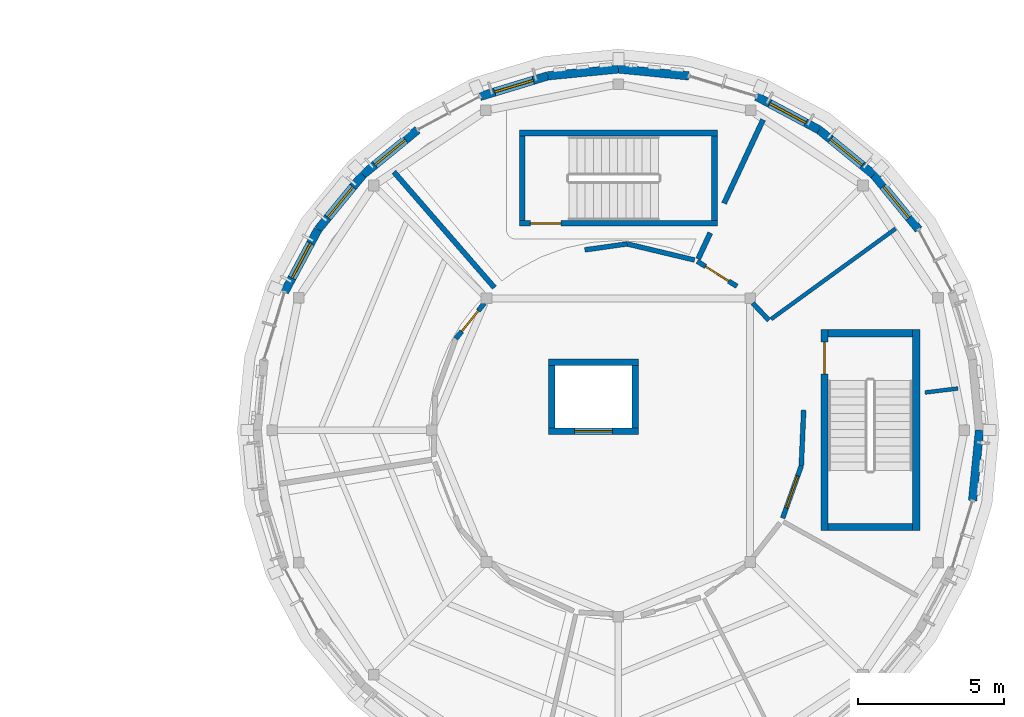
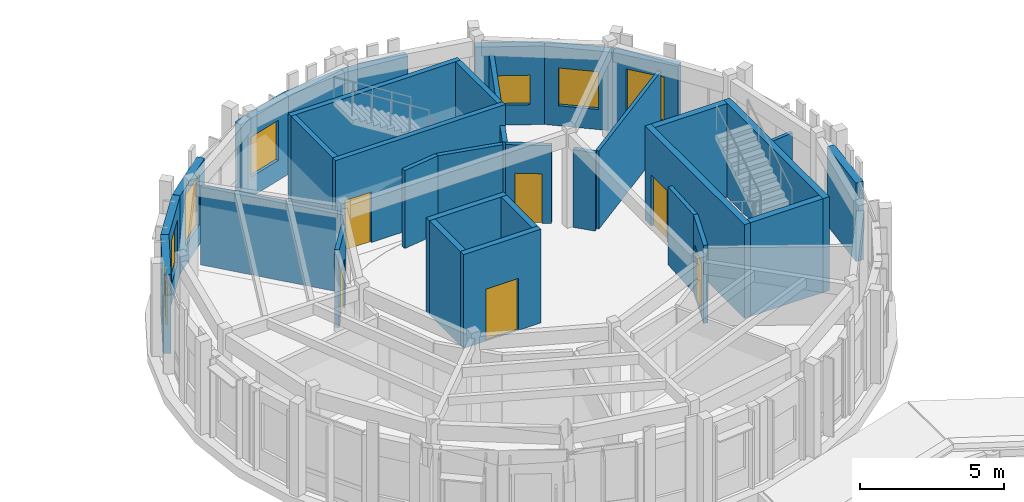
# One storey, part 42 of 58: 34 walls, 7 windows, 6 doors, 13 openings.
"""IFC4 building model written with IfcOpenShell, lengths in metres."""

from ifc_helpers import new_model, si_unit, direction, frame, frame_2d, origin, place, context, subcontext, project, spatial, rectangle, extrude, material, layer, layer_set, type_object, element, fill, save


model = new_model("IFC4")

# Units and contexts
model_context = context("Model", 3, precision=1e-05, world=origin(), true_north=direction((0.0, 1.0)))
body_context = subcontext(model_context, "Body", "Model", "MODEL_VIEW")
ifc_project = project(units=[si_unit("LENGTHUNIT", "METRE"), si_unit("AREAUNIT", "SQUARE_METRE"), si_unit("VOLUMEUNIT", "CUBIC_METRE"), si_unit("PLANEANGLEUNIT", "RADIAN"), si_unit("MASSUNIT", "GRAM", prefix="KILO")], contexts=[model_context])

# Site, building, storey
site_placement = place(None, origin())
site = spatial("IfcSite", under=ifc_project, at=site_placement, CompositionType="ELEMENT")
building_placement = place(site_placement, origin())
building = spatial("IfcBuilding", under=site, at=building_placement, Name="Aldenvaro Health Centre", CompositionType="ELEMENT")
storey_placement = place(building_placement, frame((0.0, 0.0, 8.75)))
storey = spatial("IfcBuildingStorey", under=building, at=storey_placement, Name="L02", CompositionType="ELEMENT", Elevation=8.75)

# Walls
ifc_material_1 = material(Name="Gypsum Stud Acoustic Assembly")
ifc_layer_1 = layer(ifc_material_1, 0.1650390625, Name="Gypsum Stud Acoustic Assembly")
ifc_layer_set_1 = layer_set([ifc_layer_1], Name="Gypsum Stud Acoustic Assembly")
wall_type_1 = type_object("IfcWallType", Name="WL-COR-165", PredefinedType="PARTITIONING", material=ifc_layer_set_1)
wall_1_placement = place(storey_placement, frame((157.117919921875, 105.340087890625, 0.0), z_axis=(0.0, 0.0, 1.0), x_axis=(-0.972635355986, 0.232336962804, 0.0)))
element("IfcWall", 1, at=wall_1_placement, inside=storey, type_object=wall_type_1, Name="D2 L02 corridor wall 01.1", PredefinedType="PARTITIONING", context=body_context, shape_type="SweptSolid", body=[
    extrude(rectangle(XDim=2.380126953125, YDim=0.1650390625, at=frame_2d((1.18994140625, 0.0))), origin(), (0.0, 0.0, 1.0), 3.303955078125),
])
wall_2_placement = place(storey_placement, frame((154.802978515625, 105.89306640625, 0.0), z_axis=(0.0, 0.0, 1.0), x_axis=(-0.99027628892, -0.139114598813, 0.0)))
element("IfcWall", 2, at=wall_2_placement, inside=storey, type_object=wall_type_1, Name="D2 L02 corridor wall 01.2", PredefinedType="PARTITIONING", context=body_context, shape_type="SweptSolid", body=[
    extrude(rectangle(XDim=1.467041015625, YDim=0.1650390625, at=frame_2d((0.7333984375, 0.0))), origin(), (0.0, 0.0, 1.0), 3.303955078125),
])

# Wall, opening, door
wall_3_placement = place(storey_placement, frame((149.89794921875, 103.85400390625, 0.0), z_axis=(0.0, 0.0, 1.0), x_axis=(-0.626089924076, -0.779750862116, 0.0)))
wall_3 = element("IfcWall", 3, at=wall_3_placement, inside=storey, type_object=wall_type_1, Name="D2 L02 corridor wall 02.1", PredefinedType="PARTITIONING", context=body_context, shape_type="SweptSolid", body=[
    extrude(rectangle(XDim=1.55712890625, YDim=0.1650390625, at=frame_2d((0.778564453125, 0.0))), origin(), (0.0, 0.0, 1.0), 3.303955078125),
])
opening_1_placement = place(wall_3_placement, frame((0.327880859375, 0.0, 0.0)))
opening_1 = element("IfcOpeningElement", 4, at=opening_1_placement, cuts=wall_3, Name="Opening WD-01", PredefinedType="OPENING", context=body_context, shape_type="SweptSolid", body=[
    extrude(rectangle(XDim=0.89990234375, YDim=2.10009765625, at=frame_2d((0.449951171875, 1.050048828125))), frame((0.0, 0.092529296875, 0.0), z_axis=(0.0, -1.0, 0.0), x_axis=(1.0, 0.0, 0.0)), (0.0, 0.0, 1.0), 0.18505859375),
])
ifc_material_2 = material(Name="Moisture-Resistant Laminate Door")
door_type_1 = type_object("IfcDoorType", Name="DR-WC-01", OperationType="NOTDEFINED", PredefinedType="DOOR", material=ifc_material_2)
door_1_placement = place(opening_1_placement, origin())
door_1 = element("IfcDoor", 5, at=door_1_placement, inside=storey, type_object=door_type_1, Name="Minor Procedure Operating Room 04 Door", OperationType="SINGLE_SWING_LEFT", OverallHeight=2.10009765625, OverallWidth=0.89990234375, PredefinedType="DOOR", context=body_context, shape_type="SweptSolid", body=[
    extrude(rectangle(XDim=0.89990234375, YDim=2.10009765625, at=frame_2d((0.449951171875, 1.050048828125))), frame((0.0, 0.02490234375, 0.0), z_axis=(0.0, -1.0, 0.0), x_axis=(1.0, 0.0, 0.0)), (0.0, 0.0, 1.0), 0.050048828125),
])
fill(opening_1, door_1)

wall_4_placement = place(storey_placement, frame((160.14306640625, 96.48095703125, 0.0), z_axis=(0.0, 0.0, 1.0), x_axis=(0.334820358273, 0.942281978861, 0.0)))
wall_4 = element("IfcWall", 6, at=wall_4_placement, inside=storey, type_object=wall_type_1, Name="D2 L02 corridor wall 06.1", PredefinedType="PARTITIONING", context=body_context, shape_type="SweptSolid", body=[
    extrude(rectangle(XDim=1.908203125, YDim=0.1650390625, at=frame_2d((0.9541015625, 0.0))), origin(), (0.0, 0.0, 1.0), 3.303955078125),
])
opening_2_placement = place(wall_4_placement, frame((0.368896484375, 0.0, 0.0)))
opening_2 = element("IfcOpeningElement", 7, at=opening_2_placement, cuts=wall_4, Name="Opening D-25", PredefinedType="OPENING", context=body_context, shape_type="SweptSolid", body=[
    extrude(rectangle(XDim=1.169921875, YDim=2.239990234375, at=frame_2d((0.5849609375, 1.1201171875))), frame((0.0, 0.092529296875, 0.0), z_axis=(0.0, -1.0, 0.0), x_axis=(1.0, 0.0, 0.0)), (0.0, 0.0, 1.0), 0.18505859375),
])
ifc_material_3 = material(Name="Exam Suite Timber Door", Category="wood")
door_type_2 = type_object("IfcDoorType", Name="DR-CLN-25", OperationType="NOTDEFINED", PredefinedType="DOOR", material=ifc_material_3)
door_2_placement = place(opening_2_placement, origin())
door_2 = element("IfcDoor", 8, at=door_2_placement, inside=storey, type_object=door_type_2, Name="Biomedical Equipment Calibration Door", OperationType="SINGLE_SWING_LEFT", OverallHeight=2.239990234375, OverallWidth=1.169921875, PredefinedType="DOOR", context=body_context, shape_type="SweptSolid", body=[
    extrude(rectangle(XDim=1.169921875, YDim=2.239990234375, at=frame_2d((0.5849609375, 1.1201171875))), frame((0.0, 0.02490234375, 0.0), z_axis=(0.0, -1.0, 0.0), x_axis=(1.0, 0.0, 0.0)), (0.0, 0.0, 1.0), 0.050048828125),
])
fill(opening_2, door_2)

# Walls
wall_5_placement = place(storey_placement, frame((160.781982421875, 98.279052734375, 0.0), z_axis=(0.0, 0.0, 1.0), x_axis=(0.042465818656, 0.999097920249, 0.0)))
element("IfcWall", 9, at=wall_5_placement, inside=storey, type_object=wall_type_1, Name="D2 L02 corridor wall 06.2", PredefinedType="PARTITIONING", context=body_context, shape_type="SweptSolid", body=[
    extrude(rectangle(XDim=1.90869140625, YDim=0.1650390625, at=frame_2d((0.954345703125, 0.0))), origin(), (0.0, 0.0, 1.0), 3.303955078125),
])
wall_6_placement = place(storey_placement, frame((159.672119140625, 103.26904296875, 0.0), z_axis=(0.0, 0.0, 1.0), x_axis=(-0.685308492068, 0.728252889249, 0.0)))
element("IfcWall", 10, at=wall_6_placement, inside=storey, type_object=wall_type_1, Name="D2 L02 corridor wall 08.1", PredefinedType="PARTITIONING", context=body_context, shape_type="SweptSolid", body=[
    extrude(rectangle(XDim=0.81298828125, YDim=0.1650390625, at=frame_2d((0.406494140625, 0.0))), origin(), (0.0, 0.0, 1.0), 3.303955078125),
])

# Wall, opening, door
wall_7_placement = place(storey_placement, frame((158.571044921875, 104.43798828125, 0.0), z_axis=(0.0, 0.0, 1.0), x_axis=(-0.84510965167, 0.53459300094, 0.0)))
wall_7 = element("IfcWall", 11, at=wall_7_placement, inside=storey, type_object=wall_type_1, Name="D2 L02 corridor wall 08.2", PredefinedType="PARTITIONING", context=body_context, shape_type="SweptSolid", body=[
    extrude(rectangle(XDim=1.607177734375, YDim=0.1650390625, at=frame_2d((0.8037109375, 0.0))), origin(), (0.0, 0.0, 1.0), 3.303955078125),
])
opening_3_placement = place(wall_7_placement, frame((0.3330078125, 0.0, 0.0)))
opening_3 = element("IfcOpeningElement", 12, at=opening_3_placement, cuts=wall_7, Name="Opening WD-02", PredefinedType="OPENING", context=body_context, shape_type="SweptSolid", body=[
    extrude(rectangle(XDim=0.93994140625, YDim=2.10009765625, at=frame_2d((0.469970703125, 1.050048828125))), frame((0.0, 0.092529296875, 0.0), z_axis=(0.0, -1.0, 0.0), x_axis=(1.0, 0.0, 0.0)), (0.0, 0.0, 1.0), 0.18505859375),
])
ifc_material_4 = material(Name="Accessible Sanitary Laminate Door")
door_type_3 = type_object("IfcDoorType", Name="DR-WC-02", OperationType="NOTDEFINED", PredefinedType="DOOR", material=ifc_material_4)
door_3_placement = place(opening_3_placement, origin())
door_3 = element("IfcDoor", 13, at=door_3_placement, inside=storey, type_object=door_type_3, Name="Female Staff WC Door", OperationType="SINGLE_SWING_RIGHT", OverallHeight=2.10009765625, OverallWidth=0.93994140625, PredefinedType="DOOR", context=body_context, shape_type="SweptSolid", body=[
    extrude(rectangle(XDim=0.93994140625, YDim=2.10009765625, at=frame_2d((0.469970703125, 1.050048828125))), frame((0.0, 0.02490234375, 0.0), z_axis=(0.0, -1.0, 0.0), x_axis=(1.0, 0.0, 0.0)), (0.0, 0.0, 1.0), 0.050048828125),
])
fill(opening_3, door_3)

# Wall
ifc_material_5 = material(Name="Cross-laminated timber CLT E1", Category="wood")
ifc_layer_2 = layer(ifc_material_5, 0.2900390625, Name="Cross-laminated timber CLT E1", Category="wood")
ifc_layer_set_2 = layer_set([ifc_layer_2], Name="Cross-laminated timber CLT E1")
wall_type_2 = type_object("IfcWallType", Name="WL-EXT-290", PredefinedType="ELEMENTEDWALL", material=ifc_layer_set_2)
wall_8_placement = place(storey_placement, frame((166.89990234375, 99.5, 0.0), z_axis=(0.0, 0.0, 1.0), x_axis=(-0.097832820839, -0.995202863323, 0.0)))
element("IfcWall", 14, at=wall_8_placement, inside=storey, type_object=wall_type_2, Name="D2 L02 exterior wall 01", PredefinedType="ELEMENTEDWALL", context=body_context, shape_type="SweptSolid", body=[
    extrude(rectangle(XDim=2.4306640625, YDim=0.2900390625, at=frame_2d((1.21533203125, 0.0))), origin(), (0.0, 0.0, 1.0), 3.3291015625),
])

# Wall, opening, window
wall_9_placement = place(storey_placement, frame((143.0439453125, 104.2451171875, 0.0), z_axis=(0.0, 0.0, 1.0), x_axis=(0.471432490996, 0.881902152415, 0.0)))
wall_9 = element("IfcWall", 15, at=wall_9_placement, inside=storey, type_object=wall_type_2, Name="D2 L02 exterior wall 19", PredefinedType="ELEMENTEDWALL", context=body_context, shape_type="SweptSolid", body=[
    extrude(rectangle(XDim=2.430908203125, YDim=0.2900390625, at=frame_2d((1.21533203125, 0.0))), origin(), (0.0, 0.0, 1.0), 3.3291015625),
])
opening_4_placement = place(wall_9_placement, frame((0.541015625, 0.0, 0.85009765625)))
opening_4 = element("IfcOpeningElement", 16, at=opening_4_placement, cuts=wall_9, Name="Opening W-51", PredefinedType="OPENING", context=body_context, shape_type="SweptSolid", body=[
    extrude(rectangle(XDim=1.35009765625, YDim=1.550048828125, at=frame_2d((0.675048828125, 0.77490234375))), frame((0.0, 0.155029296875, 0.0), z_axis=(0.0, -1.0, 0.0), x_axis=(1.0, 0.0, 0.0)), (0.0, 0.0, 1.0), 0.31005859375),
])
ifc_material_6 = material(Name="Thermally Broken Aluminium Low-E Glass", Category="aluminium")
window_type_1 = type_object("IfcWindowType", Name="WN-EXT-51", PartitioningType="SINGLE_PANEL", PredefinedType="WINDOW", material=ifc_material_6)
window_1_placement = place(opening_4_placement, origin())
window_1 = element("IfcWindow", 17, at=window_1_placement, inside=storey, type_object=window_type_1, Name="D2 L02 clinical window 19", OverallHeight=1.550048828125, OverallWidth=1.35009765625, PartitioningType="SINGLE_PANEL", PredefinedType="WINDOW", context=body_context, shape_type="SweptSolid", body=[
    extrude(rectangle(XDim=1.35009765625, YDim=1.550048828125, at=frame_2d((0.675048828125, 0.77490234375))), frame((0.0, 0.030029296875, 0.0), z_axis=(0.0, -1.0, 0.0), x_axis=(1.0, 0.0, 0.0)), (0.0, 0.0, 1.0), 0.06005859375),
])
fill(opening_4, window_1)

wall_10_placement = place(storey_placement, frame((144.18994140625, 106.388916015625, 0.0), z_axis=(0.0, 0.0, 1.0), x_axis=(0.634347392822, 0.773048113134, 0.0)))
wall_10 = element("IfcWall", 18, at=wall_10_placement, inside=storey, type_object=wall_type_2, Name="D2 L02 exterior wall 20", PredefinedType="ELEMENTEDWALL", context=body_context, shape_type="SweptSolid", body=[
    extrude(rectangle(XDim=2.430908203125, YDim=0.2900390625, at=frame_2d((1.21533203125, 0.0))), origin(), (0.0, 0.0, 1.0), 3.3291015625),
])
opening_5_placement = place(wall_10_placement, frame((0.5400390625, 0.0, 0.85009765625)))
opening_5 = element("IfcOpeningElement", 19, at=opening_5_placement, cuts=wall_10, Name="Opening W-52", PredefinedType="OPENING", context=body_context, shape_type="SweptSolid", body=[
    extrude(rectangle(XDim=1.35009765625, YDim=1.85009765625, at=frame_2d((0.675048828125, 0.925048828125))), frame((0.0, 0.155029296875, 0.0), z_axis=(0.0, -1.0, 0.0), x_axis=(1.0, 0.0, 0.0)), (0.0, 0.0, 1.0), 0.31005859375),
])
window_type_2 = type_object("IfcWindowType", Name="WN-EXT-52", PartitioningType="SINGLE_PANEL", PredefinedType="WINDOW", material=ifc_material_6)
window_2_placement = place(opening_5_placement, origin())
window_2 = element("IfcWindow", 20, at=window_2_placement, inside=storey, type_object=window_type_2, Name="D2 L02 clinical window 20", OverallHeight=1.85009765625, OverallWidth=1.35009765625, PartitioningType="SINGLE_PANEL", PredefinedType="WINDOW", context=body_context, shape_type="SweptSolid", body=[
    extrude(rectangle(XDim=1.35009765625, YDim=1.85009765625, at=frame_2d((0.675048828125, 0.925048828125))), frame((0.0, 0.030029296875, 0.0), z_axis=(0.0, -1.0, 0.0), x_axis=(1.0, 0.0, 0.0)), (0.0, 0.0, 1.0), 0.06005859375),
])
fill(opening_5, window_2)

wall_11_placement = place(storey_placement, frame((145.73193359375, 108.26806640625, 0.0), z_axis=(0.0, 0.0, 1.0), x_axis=(0.773048113134, 0.634347392822, 0.0)))
wall_11 = element("IfcWall", 21, at=wall_11_placement, inside=storey, type_object=wall_type_2, Name="D2 L02 exterior wall 21", PredefinedType="ELEMENTEDWALL", context=body_context, shape_type="SweptSolid", body=[
    extrude(rectangle(XDim=2.430908203125, YDim=0.2900390625, at=frame_2d((1.21533203125, 0.0))), origin(), (0.0, 0.0, 1.0), 3.3291015625),
])
opening_6_placement = place(wall_11_placement, frame((0.5400390625, 0.0, 0.85009765625)))
opening_6 = element("IfcOpeningElement", 22, at=opening_6_placement, cuts=wall_11, Name="Opening W-53", PredefinedType="OPENING", context=body_context, shape_type="SweptSolid", body=[
    extrude(rectangle(XDim=1.35009765625, YDim=2.14990234375, at=frame_2d((0.675048828125, 1.074951171875))), frame((0.0, 0.155029296875, 0.0), z_axis=(0.0, -1.0, 0.0), x_axis=(1.0, 0.0, 0.0)), (0.0, 0.0, 1.0), 0.31005859375),
])
window_type_3 = type_object("IfcWindowType", Name="WN-EXT-53", PartitioningType="SINGLE_PANEL", PredefinedType="WINDOW", material=ifc_material_6)
window_3_placement = place(opening_6_placement, origin())
window_3 = element("IfcWindow", 23, at=window_3_placement, inside=storey, type_object=window_type_3, Name="D2 L02 clinical window 21", OverallHeight=2.14990234375, OverallWidth=1.35009765625, PartitioningType="SINGLE_PANEL", PredefinedType="WINDOW", context=body_context, shape_type="SweptSolid", body=[
    extrude(rectangle(XDim=1.35009765625, YDim=2.14990234375, at=frame_2d((0.675048828125, 1.074951171875))), frame((0.0, 0.030029296875, 0.0), z_axis=(0.0, -1.0, 0.0), x_axis=(1.0, 0.0, 0.0)), (0.0, 0.0, 1.0), 0.06005859375),
])
fill(opening_6, window_3)

wall_12_placement = place(storey_placement, frame((149.7548828125, 110.9560546875, 0.0), z_axis=(0.0, 0.0, 1.0), x_axis=(0.956892539407, 0.290442193951, 0.0)))
wall_12 = element("IfcWall", 24, at=wall_12_placement, inside=storey, type_object=wall_type_2, Name="D2 L02 exterior wall 23", PredefinedType="ELEMENTEDWALL", context=body_context, shape_type="SweptSolid", body=[
    extrude(rectangle(XDim=2.430908203125, YDim=0.2900390625, at=frame_2d((1.21533203125, 0.0))), origin(), (0.0, 0.0, 1.0), 3.3291015625),
])
opening_7_placement = place(wall_12_placement, frame((0.52490234375, 0.0, 0.85009765625)))
opening_7 = element("IfcOpeningElement", 25, at=opening_7_placement, cuts=wall_12, Name="Opening W-54", PredefinedType="OPENING", context=body_context, shape_type="SweptSolid", body=[
    extrude(rectangle(XDim=1.3798828125, YDim=1.699951171875, at=frame_2d((0.68994140625, 0.85009765625))), frame((0.0, 0.155029296875, 0.0), z_axis=(0.0, -1.0, 0.0), x_axis=(1.0, 0.0, 0.0)), (0.0, 0.0, 1.0), 0.31005859375),
])
window_type_4 = type_object("IfcWindowType", Name="WN-EXT-54", PartitioningType="SINGLE_PANEL", PredefinedType="WINDOW", material=ifc_material_6)
window_4_placement = place(opening_7_placement, origin())
window_4 = element("IfcWindow", 26, at=window_4_placement, inside=storey, type_object=window_type_4, Name="D2 L02 clinical window 23", OverallHeight=1.699951171875, OverallWidth=1.3798828125, PartitioningType="SINGLE_PANEL", PredefinedType="WINDOW", context=body_context, shape_type="SweptSolid", body=[
    extrude(rectangle(XDim=1.3798828125, YDim=1.699951171875, at=frame_2d((0.68994140625, 0.85009765625))), frame((0.0, 0.030029296875, 0.0), z_axis=(0.0, -1.0, 0.0), x_axis=(1.0, 0.0, 0.0)), (0.0, 0.0, 1.0), 0.06005859375),
])
fill(opening_7, window_4)

# Walls
for number, where, z_axis, x_axis, name in (
    (27, (152.0810546875, 111.662109375, 0.0), (0.0, 0.0, 1.0), (0.995202863323, 0.097832820839, 0.0), "D2 L02 exterior wall 24"),
    (28, (154.5, 111.89990234375, 0.0), (0.0, 0.0, 1.0), (0.995202863323, -0.097832820839, 0.0), "D2 L02 exterior wall 25"),
):
    element("IfcWall", number, at=place(storey_placement, frame(where, z_axis=z_axis, x_axis=x_axis)), inside=storey, type_object=wall_type_2, Name=name, PredefinedType="ELEMENTEDWALL", context=body_context, shape_type="SweptSolid", body=[
        extrude(rectangle(XDim=2.4306640625, YDim=0.2900390625, at=frame_2d((1.21533203125, 0.0))), origin(), (0.0, 0.0, 1.0), 3.3291015625),
    ])

# Wall, opening, window
wall_13_placement = place(storey_placement, frame((159.2451171875, 110.9560546875, 0.0), z_axis=(0.0, 0.0, 1.0), x_axis=(0.881902152415, -0.471432490996, 0.0)))
wall_13 = element("IfcWall", 29, at=wall_13_placement, inside=storey, type_object=wall_type_2, Name="D2 L02 exterior wall 27", PredefinedType="ELEMENTEDWALL", context=body_context, shape_type="SweptSolid", body=[
    extrude(rectangle(XDim=2.430908203125, YDim=0.2900390625, at=frame_2d((1.21533203125, 0.0))), origin(), (0.0, 0.0, 1.0), 3.3291015625),
])
opening_8_placement = place(wall_13_placement, frame((0.51611328125, 0.0, 0.85009765625)))
opening_8 = element("IfcOpeningElement", 30, at=opening_8_placement, cuts=wall_13, Name="Opening W-55", PredefinedType="OPENING", context=body_context, shape_type="SweptSolid", body=[
    extrude(rectangle(XDim=1.39990234375, YDim=1.25, at=frame_2d((0.699951171875, 0.625))), frame((0.0, 0.155029296875, 0.0), z_axis=(0.0, -1.0, 0.0), x_axis=(1.0, 0.0, 0.0)), (0.0, 0.0, 1.0), 0.31005859375),
])
window_type_5 = type_object("IfcWindowType", Name="WN-EXT-55", PartitioningType="SINGLE_PANEL", PredefinedType="WINDOW", material=ifc_material_6)
window_5_placement = place(opening_8_placement, origin())
window_5 = element("IfcWindow", 31, at=window_5_placement, inside=storey, type_object=window_type_5, Name="D2 L02 clinical window 27", OverallHeight=1.25, OverallWidth=1.39990234375, PartitioningType="SINGLE_PANEL", PredefinedType="WINDOW", context=body_context, shape_type="SweptSolid", body=[
    extrude(rectangle(XDim=1.39990234375, YDim=1.25, at=frame_2d((0.699951171875, 0.625))), frame((0.0, 0.030029296875, 0.0), z_axis=(0.0, -1.0, 0.0), x_axis=(1.0, 0.0, 0.0)), (0.0, 0.0, 1.0), 0.06005859375),
])
fill(opening_8, window_5)

wall_14_placement = place(storey_placement, frame((161.388916015625, 109.81005859375, 0.0), z_axis=(0.0, 0.0, 1.0), x_axis=(0.773048113134, -0.634347392822, 0.0)))
wall_14 = element("IfcWall", 32, at=wall_14_placement, inside=storey, type_object=wall_type_2, Name="D2 L02 exterior wall 28", PredefinedType="ELEMENTEDWALL", context=body_context, shape_type="SweptSolid", body=[
    extrude(rectangle(XDim=2.430908203125, YDim=0.2900390625, at=frame_2d((1.21533203125, 0.0))), origin(), (0.0, 0.0, 1.0), 3.3291015625),
])
opening_9_placement = place(wall_14_placement, frame((0.514892578125, 0.0, 0.85009765625)))
opening_9 = element("IfcOpeningElement", 33, at=opening_9_placement, cuts=wall_14, Name="Opening W-56", PredefinedType="OPENING", context=body_context, shape_type="SweptSolid", body=[
    extrude(rectangle(XDim=1.39990234375, YDim=1.60009765625, at=frame_2d((0.699951171875, 0.800048828125))), frame((0.0, 0.155029296875, 0.0), z_axis=(0.0, -1.0, 0.0), x_axis=(1.0, 0.0, 0.0)), (0.0, 0.0, 1.0), 0.31005859375),
])
window_type_6 = type_object("IfcWindowType", Name="WN-EXT-56", PartitioningType="SINGLE_PANEL", PredefinedType="WINDOW", material=ifc_material_6)
window_6_placement = place(opening_9_placement, origin())
window_6 = element("IfcWindow", 34, at=window_6_placement, inside=storey, type_object=window_type_6, Name="D2 L02 clinical window 28", OverallHeight=1.60009765625, OverallWidth=1.39990234375, PartitioningType="SINGLE_PANEL", PredefinedType="WINDOW", context=body_context, shape_type="SweptSolid", body=[
    extrude(rectangle(XDim=1.39990234375, YDim=1.60009765625, at=frame_2d((0.699951171875, 0.800048828125))), frame((0.0, 0.030029296875, 0.0), z_axis=(0.0, -1.0, 0.0), x_axis=(1.0, 0.0, 0.0)), (0.0, 0.0, 1.0), 0.06005859375),
])
fill(opening_9, window_6)

wall_15_placement = place(storey_placement, frame((163.26806640625, 108.26806640625, 0.0), z_axis=(0.0, 0.0, 1.0), x_axis=(0.634347392822, -0.773048113134, 0.0)))
wall_15 = element("IfcWall", 35, at=wall_15_placement, inside=storey, type_object=wall_type_2, Name="D2 L02 exterior wall 29", PredefinedType="ELEMENTEDWALL", context=body_context, shape_type="SweptSolid", body=[
    extrude(rectangle(XDim=2.430908203125, YDim=0.2900390625, at=frame_2d((1.21533203125, 0.0))), origin(), (0.0, 0.0, 1.0), 3.3291015625),
])
opening_10_placement = place(wall_15_placement, frame((0.514892578125, 0.0, 0.85009765625)))
opening_10 = element("IfcOpeningElement", 36, at=opening_10_placement, cuts=wall_15, Name="Opening W-57", PredefinedType="OPENING", context=body_context, shape_type="SweptSolid", body=[
    extrude(rectangle(XDim=1.39990234375, YDim=1.89990234375, at=frame_2d((0.699951171875, 0.949951171875))), frame((0.0, 0.155029296875, 0.0), z_axis=(0.0, -1.0, 0.0), x_axis=(1.0, 0.0, 0.0)), (0.0, 0.0, 1.0), 0.31005859375),
])
window_type_7 = type_object("IfcWindowType", Name="WN-EXT-57", PartitioningType="SINGLE_PANEL", PredefinedType="WINDOW", material=ifc_material_6)
window_7_placement = place(opening_10_placement, origin())
window_7 = element("IfcWindow", 37, at=window_7_placement, inside=storey, type_object=window_type_7, Name="D2 L02 clinical window 29", OverallHeight=1.89990234375, OverallWidth=1.39990234375, PartitioningType="SINGLE_PANEL", PredefinedType="WINDOW", context=body_context, shape_type="SweptSolid", body=[
    extrude(rectangle(XDim=1.39990234375, YDim=1.89990234375, at=frame_2d((0.699951171875, 0.949951171875))), frame((0.0, 0.030029296875, 0.0), z_axis=(0.0, -1.0, 0.0), x_axis=(1.0, 0.0, 0.0)), (0.0, 0.0, 1.0), 0.06005859375),
])
fill(opening_10, window_7)

# Wall, opening, door
ifc_material_7 = material(Name="Concrete f'c 40 MPa", Category="concrete")
ifc_layer_3 = layer(ifc_material_7, 0.199951171875, Name="Concrete f'c 40 MPa", Category="concrete")
ifc_layer_set_3 = layer_set([ifc_layer_3], Name="Concrete f'c 40 MPa")
wall_type_3 = type_object("IfcWallType", Name="WL-SHAFT-200", PredefinedType="SHEAR", material=ifc_layer_set_3)
wall_16_placement = place(storey_placement, frame((151.10009765625, 106.60009765625, 0.0), z_axis=(0.0, 0.0, 1.0), x_axis=(1.0, 0.0, 0.0)))
wall_16 = element("IfcWall", 38, at=wall_16_placement, inside=storey, type_object=wall_type_3, Name="ST-04 L02 inner core wall", PredefinedType="SHEAR", context=body_context, shape_type="SweptSolid", body=[
    extrude(rectangle(XDim=6.7998046875, YDim=0.199951171875, at=frame_2d((3.39990234375, 0.0))), origin(), (0.0, 0.0, 1.0), 3.97509765625),
])
opening_11_placement = place(wall_16_placement, frame((0.3798828125, 0.0, 0.0)))
opening_11 = element("IfcOpeningElement", 39, at=opening_11_placement, cuts=wall_16, Name="Opening FD-02", PredefinedType="OPENING", context=body_context, shape_type="SweptSolid", body=[
    extrude(rectangle(XDim=1.050048828125, YDim=2.14990234375, at=frame_2d((0.52490234375, 1.074951171875))), frame((0.0, 0.10986328125, 0.0), z_axis=(0.0, -1.0, 0.0), x_axis=(1.0, 0.0, 0.0)), (0.0, 0.0, 1.0), 0.219970703125),
])
ifc_material_8 = material(Name="Fire-Rated Steel Door Assembly", Category="steel")
door_type_4 = type_object("IfcDoorType", Name="DR-STAIR-105", OperationType="NOTDEFINED", PredefinedType="DOOR", material=ifc_material_8)
door_4_placement = place(opening_11_placement, origin())
door_4 = element("IfcDoor", 40, at=door_4_placement, inside=storey, type_object=door_type_4, Name="ST-04 L02 fire stair door", OperationType="SINGLE_SWING_LEFT", OverallHeight=2.14990234375, OverallWidth=1.050048828125, PredefinedType="DOOR", context=body_context, shape_type="SweptSolid", body=[
    extrude(rectangle(XDim=1.050048828125, YDim=2.14990234375, at=frame_2d((0.52490234375, 1.074951171875))), frame((0.0, 0.02490234375, 0.0), z_axis=(0.0, -1.0, 0.0), x_axis=(1.0, 0.0, 0.0)), (0.0, 0.0, 1.0), 0.050048828125),
])
fill(opening_11, door_4)

# Walls
wall_17_placement = place(storey_placement, frame((151.10009765625, 109.699951171875, 0.0), z_axis=(0.0, 0.0, 1.0), x_axis=(1.0, 0.0, 0.0)))
element("IfcWall", 41, at=wall_17_placement, inside=storey, type_object=wall_type_3, Name="ST-04 L02 far core wall", PredefinedType="SHEAR", context=body_context, shape_type="SweptSolid", body=[
    extrude(rectangle(XDim=6.7998046875, YDim=0.199951171875, at=frame_2d((3.39990234375, 0.0))), origin(), (0.0, 0.0, 1.0), 3.97509765625),
])
for number, where, z_axis, x_axis, name in (
    (42, (151.199951171875, 106.699951171875, 0.0), (0.0, 0.0, 1.0), (0.0, 1.0, 0.0), "ST-04 L02 side core wall L"),
    (43, (157.800048828125, 106.699951171875, 0.0), (0.0, 0.0, 1.0), (0.0, 1.0, 0.0), "ST-04 L02 side core wall R"),
):
    element("IfcWall", number, at=place(storey_placement, frame(where, z_axis=z_axis, x_axis=x_axis)), inside=storey, type_object=wall_type_3, Name=name, PredefinedType="SHEAR", context=body_context, shape_type="SweptSolid", body=[
        extrude(rectangle(XDim=2.900146484375, YDim=0.199951171875, at=frame_2d((1.4501953125, 0.0))), origin(), (0.0, 0.0, 1.0), 3.97509765625),
    ])

# Wall, opening, door
ifc_layer_4 = layer(ifc_material_7, 0.22509765625, Name="Concrete f'c 40 MPa", Category="concrete")
ifc_layer_set_4 = layer_set([ifc_layer_4], Name="Concrete f'c 40 MPa")
wall_type_4 = type_object("IfcWallType", Name="WL-SHAFT-225", PredefinedType="SHEAR", material=ifc_layer_set_4)
wall_18_placement = place(storey_placement, frame((152.10009765625, 99.462890625, 0.0), z_axis=(0.0, 0.0, 1.0), x_axis=(1.0, 0.0, 0.0)))
wall_18 = element("IfcWall", 44, at=wall_18_placement, inside=storey, type_object=wall_type_4, Name="LF-02 L02 lift shaft front wall", PredefinedType="SHEAR", context=body_context, shape_type="SweptSolid", body=[
    extrude(rectangle(XDim=3.099853515625, YDim=0.22509765625, at=frame_2d((1.5498046875, 0.0))), origin(), (0.0, 0.0, 1.0), 3.97509765625),
])
opening_12_placement = place(wall_18_placement, frame((0.89990234375, 0.0, 0.0)))
opening_12 = element("IfcOpeningElement", 45, at=opening_12_placement, cuts=wall_18, Name="Opening LD-02", PredefinedType="OPENING", context=body_context, shape_type="SweptSolid", body=[
    extrude(rectangle(XDim=1.300048828125, YDim=2.199951171875, at=frame_2d((0.64990234375, 1.10009765625))), frame((0.0, 0.12255859375, 0.0), z_axis=(0.0, -1.0, 0.0), x_axis=(1.0, 0.0, 0.0)), (0.0, 0.0, 1.0), 0.2451171875),
])
ifc_material_9 = material(Name="Stainless Steel Stretcher Landing Door", Category="steel")
door_type_5 = type_object("IfcDoorType", Name="DR-LIFT-130", OperationType="DOUBLE_DOOR_SLIDING", PredefinedType="DOOR", material=ifc_material_9)
door_5_placement = place(opening_12_placement, origin())
door_5 = element("IfcDoor", 46, at=door_5_placement, inside=storey, type_object=door_type_5, Name="Lift LF-02 L02 Sliding Landing Door", OperationType="DOUBLE_DOOR_SLIDING", OverallHeight=2.199951171875, OverallWidth=1.300048828125, PredefinedType="DOOR", context=body_context, shape_type="SweptSolid", body=[
    extrude(rectangle(XDim=1.300048828125, YDim=2.199951171875, at=frame_2d((0.64990234375, 1.10009765625))), frame((0.0, 0.02490234375, 0.0), z_axis=(0.0, -1.0, 0.0), x_axis=(1.0, 0.0, 0.0)), (0.0, 0.0, 1.0), 0.050048828125),
])
fill(opening_12, door_5)

# Walls
wall_19_placement = place(storey_placement, frame((152.10009765625, 101.837890625, 0.0), z_axis=(0.0, 0.0, 1.0), x_axis=(1.0, 0.0, 0.0)))
element("IfcWall", 47, at=wall_19_placement, inside=storey, type_object=wall_type_4, Name="LF-02 L02 lift shaft rear wall", PredefinedType="SHEAR", context=body_context, shape_type="SweptSolid", body=[
    extrude(rectangle(XDim=3.099853515625, YDim=0.22509765625, at=frame_2d((1.5498046875, 0.0))), origin(), (0.0, 0.0, 1.0), 3.97509765625),
])
for number, where, z_axis, x_axis, name in (
    (48, (152.212890625, 99.574951171875, 0.0), (0.0, 0.0, 1.0), (0.0, 1.0, 0.0), "LF-02 L02 lift shaft side wall L"),
    (49, (155.087890625, 99.574951171875, 0.0), (0.0, 0.0, 1.0), (0.0, 1.0, 0.0), "LF-02 L02 lift shaft side wall R"),
):
    element("IfcWall", number, at=place(storey_placement, frame(where, z_axis=z_axis, x_axis=x_axis)), inside=storey, type_object=wall_type_4, Name=name, PredefinedType="SHEAR", context=body_context, shape_type="SweptSolid", body=[
        extrude(rectangle(XDim=2.150146484375, YDim=0.22509765625, at=frame_2d((1.0751953125, 0.0))), origin(), (0.0, 0.0, 1.0), 3.97509765625),
    ])

# Wall, opening, door
ifc_layer_5 = layer(ifc_material_7, 0.25, Name="Concrete f'c 40 MPa", Category="concrete")
ifc_layer_set_5 = layer_set([ifc_layer_5], Name="Concrete f'c 40 MPa")
wall_type_5 = type_object("IfcWallType", Name="WL-SHAFT-250", PredefinedType="SHEAR", material=ifc_layer_set_5)
wall_20_placement = place(storey_placement, frame((161.574951171875, 102.949951171875, 0.0), z_axis=(0.0, 0.0, 1.0), x_axis=(0.0, -1.0, 0.0)))
wall_20 = element("IfcWall", 50, at=wall_20_placement, inside=storey, type_object=wall_type_5, Name="ST-03 L02 inner core wall", PredefinedType="SHEAR", context=body_context, shape_type="SweptSolid", body=[
    extrude(rectangle(XDim=6.89990234375, YDim=0.25, at=frame_2d((3.449951171875, 0.0))), origin(), (0.0, 0.0, 1.0), 3.97509765625),
])
opening_13_placement = place(wall_20_placement, frame((0.429931640625, 0.0, 0.0)))
opening_13 = element("IfcOpeningElement", 51, at=opening_13_placement, cuts=wall_20, Name="Opening FD-01", PredefinedType="OPENING", context=body_context, shape_type="SweptSolid", body=[
    extrude(rectangle(XDim=1.10009765625, YDim=2.14990234375, at=frame_2d((0.550048828125, 1.074951171875))), frame((0.0, 0.135009765625, 0.0), z_axis=(0.0, -1.0, 0.0), x_axis=(1.0, 0.0, 0.0)), (0.0, 0.0, 1.0), 0.27001953125),
])
door_type_6 = type_object("IfcDoorType", Name="DR-STAIR-110", OperationType="NOTDEFINED", PredefinedType="DOOR", material=ifc_material_8)
door_6_placement = place(opening_13_placement, origin())
door_6 = element("IfcDoor", 52, at=door_6_placement, inside=storey, type_object=door_type_6, Name="ST-03 L02 fire stair door", OperationType="SINGLE_SWING_RIGHT", OverallHeight=2.14990234375, OverallWidth=1.10009765625, PredefinedType="DOOR", context=body_context, shape_type="SweptSolid", body=[
    extrude(rectangle(XDim=1.10009765625, YDim=2.14990234375, at=frame_2d((0.550048828125, 1.074951171875))), frame((0.0, 0.02490234375, 0.0), z_axis=(0.0, -1.0, 0.0), x_axis=(1.0, 0.0, 0.0)), (0.0, 0.0, 1.0), 0.050048828125),
])
fill(opening_13, door_6)

# Walls
wall_21_placement = place(storey_placement, frame((164.72509765625, 102.949951171875, 0.0), z_axis=(0.0, 0.0, 1.0), x_axis=(0.0, -1.0, 0.0)))
element("IfcWall", 53, at=wall_21_placement, inside=storey, type_object=wall_type_5, Name="ST-03 L02 far core wall", PredefinedType="SHEAR", context=body_context, shape_type="SweptSolid", body=[
    extrude(rectangle(XDim=6.89990234375, YDim=0.25, at=frame_2d((3.449951171875, 0.0))), origin(), (0.0, 0.0, 1.0), 3.97509765625),
])
for number, where, z_axis, x_axis, name in (
    (54, (161.699951171875, 102.824951171875, 0.0), (0.0, 0.0, 1.0), (1.0, 0.0, 0.0), "ST-03 L02 side core wall L"),
    (55, (161.699951171875, 96.175048828125, 0.0), (0.0, 0.0, 1.0), (1.0, 0.0, 0.0), "ST-03 L02 side core wall R"),
):
    element("IfcWall", number, at=place(storey_placement, frame(where, z_axis=z_axis, x_axis=x_axis)), inside=storey, type_object=wall_type_5, Name=name, PredefinedType="SHEAR", context=body_context, shape_type="SweptSolid", body=[
        extrude(rectangle(XDim=2.900146484375, YDim=0.25, at=frame_2d((1.4501953125, 0.0))), origin(), (0.0, 0.0, 1.0), 3.97509765625),
    ])
ifc_material_10 = material(Name="Hygienic Clad Acoustic Partition")
ifc_layer_6 = layer(ifc_material_10, 0.179931640625, Name="Hygienic Clad Acoustic Partition")
ifc_layer_set_6 = layer_set([ifc_layer_6], Name="Hygienic Clad Acoustic Partition")
wall_type_6 = type_object("IfcWallType", Name="WL-SRG-180", PredefinedType="PARTITIONING", material=ifc_layer_set_6)
wall_22_placement = place(storey_placement, frame((157.239990234375, 105.3759765625, 0.0), z_axis=(0.0, 0.0, 1.0), x_axis=(0.422695781641, 0.906271634877, 0.0)))
element("IfcWall", 56, at=wall_22_placement, inside=storey, type_object=wall_type_6, Name="D2 L02 clinical partition 1.1", PredefinedType="PARTITIONING", context=body_context, shape_type="SweptSolid", body=[
    extrude(rectangle(XDim=0.986572265625, YDim=0.179931640625, at=frame_2d((0.4931640625, 0.0))), origin(), (0.0, 0.0, 1.0), 3.303955078125),
])
wall_23_placement = place(storey_placement, frame((158.1298828125, 107.284912109375, 0.0), z_axis=(0.0, 0.0, 1.0), x_axis=(0.422830642255, 0.906208722078, 0.0)))
element("IfcWall", 57, at=wall_23_placement, inside=storey, type_object=wall_type_6, Name="D2 L02 clinical partition 1.2", PredefinedType="PARTITIONING", context=body_context, shape_type="SweptSolid", body=[
    extrude(rectangle(XDim=3.16943359375, YDim=0.179931640625, at=frame_2d((1.584716796875, 0.0))), origin(), (0.0, 0.0, 1.0), 3.303955078125),
])
wall_24_placement = place(storey_placement, frame((150.2470703125, 104.39306640625, 0.0), z_axis=(0.0, 0.0, 1.0), x_axis=(-0.656100617129, 0.754673426193, 0.0)))
element("IfcWall", 58, at=wall_24_placement, inside=storey, type_object=wall_type_6, Name="D2 L02 clinical partition 2.1", PredefinedType="PARTITIONING", context=body_context, shape_type="SweptSolid", body=[
    extrude(rectangle(XDim=5.26318359375, YDim=0.179931640625, at=frame_2d((2.631591796875, 0.0))), origin(), (0.0, 0.0, 1.0), 3.303955078125),
])
ifc_material_11 = material(Name="Moisture-Resistant Plumbing Stud Wall")
ifc_layer_7 = layer(ifc_material_11, 0.135009765625, Name="Moisture-Resistant Plumbing Stud Wall")
ifc_layer_set_7 = layer_set([ifc_layer_7], Name="Moisture-Resistant Plumbing Stud Wall")
wall_type_7 = type_object("IfcWallType", Name="WL-WET-135", PredefinedType="PLUMBINGWALL", material=ifc_layer_set_7)
wall_25_placement = place(storey_placement, frame((165.030029296875, 100.79296875, 0.0), z_axis=(0.0, 0.0, 1.0), x_axis=(0.992604891092, 0.121389992092, 0.0)))
element("IfcWall", 59, at=wall_25_placement, inside=storey, type_object=wall_type_7, Name="D2 L02 clinical partition 7.2", PredefinedType="PLUMBINGWALL", context=body_context, shape_type="SweptSolid", body=[
    extrude(rectangle(XDim=1.13623046875, YDim=0.135009765625, at=frame_2d((0.568115234375, 0.0))), origin(), (0.0, 0.0, 1.0), 3.303955078125),
])
wall_26_placement = place(storey_placement, frame((159.7451171875, 103.31103515625, 0.0), z_axis=(0.0, 0.0, 1.0), x_axis=(0.809019962828, 0.587781166545, 0.0)))
element("IfcWall", 60, at=wall_26_placement, inside=storey, type_object=wall_type_7, Name="D2 L02 clinical partition 8.1", PredefinedType="PLUMBINGWALL", context=body_context, shape_type="SweptSolid", body=[
    extrude(rectangle(XDim=5.279296875, YDim=0.135009765625, at=frame_2d((2.6396484375, 0.0))), origin(), (0.0, 0.0, 1.0), 3.303955078125),
])

save(model, "model.ifc")
